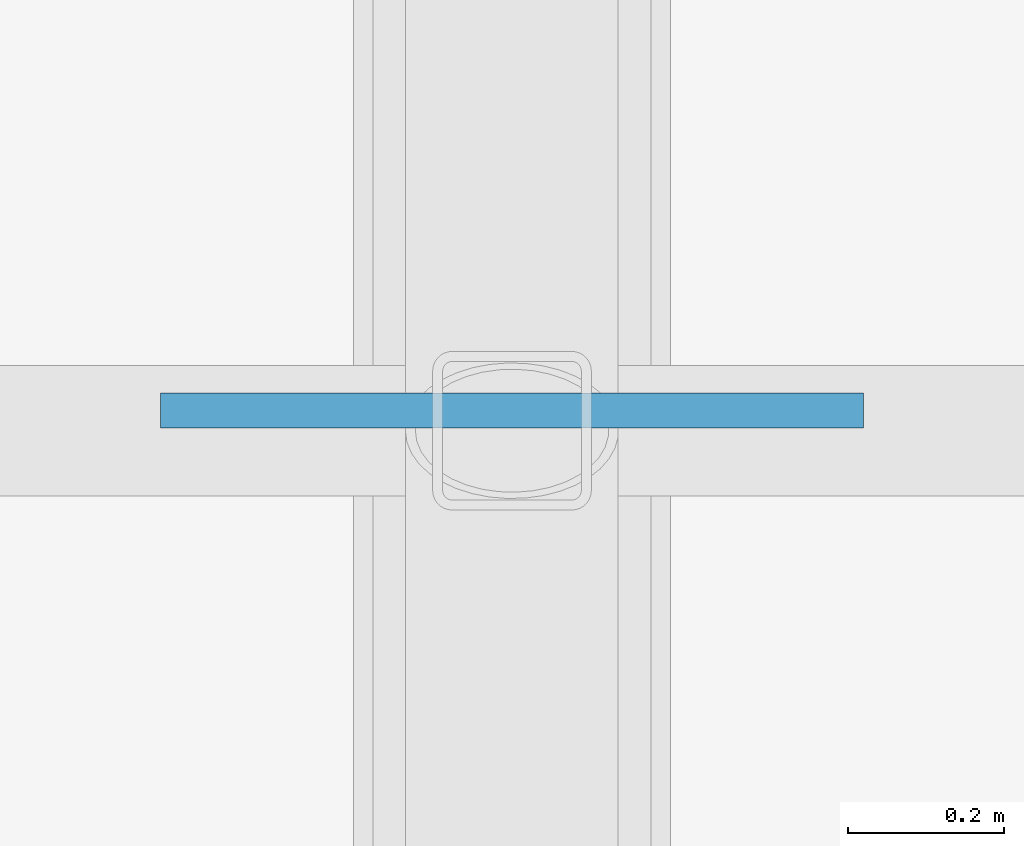
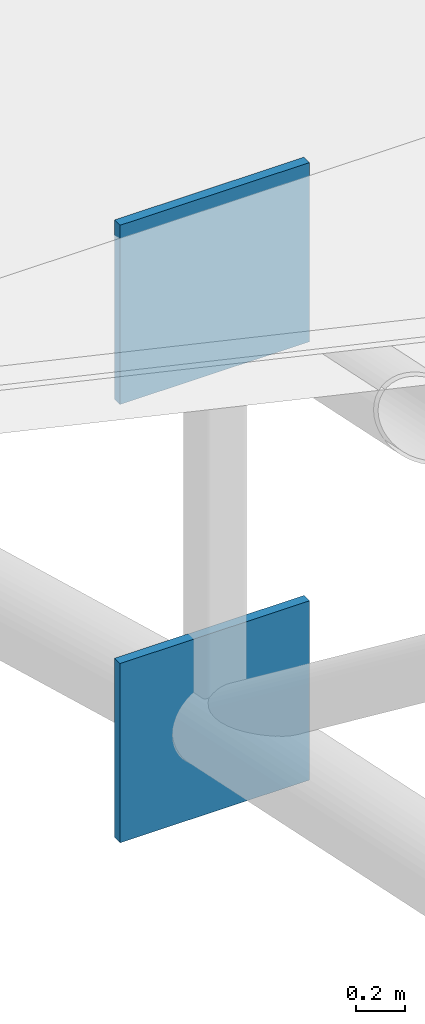
# One storey, part 85 of 98: 2 plates.
"""IFC4 building model written with IfcOpenShell, lengths in metres."""

from ifc_helpers import new_model, si_unit, direction, frame, origin, origin_2d, place, context, subcontext, project, spatial, rectangle, extrude, material, layer, layer_set, type_object, element, save


model = new_model("IFC4")

# Units and contexts
model_context = context("Model", 3, precision=1e-05, world=origin(), true_north=direction((0.0, 1.0)))
body_context = subcontext(model_context, "Body", "Model", "MODEL_VIEW")
ifc_project = project(units=[si_unit("LENGTHUNIT", "METRE"), si_unit("AREAUNIT", "SQUARE_METRE"), si_unit("VOLUMEUNIT", "CUBIC_METRE"), si_unit("PLANEANGLEUNIT", "RADIAN"), si_unit("MASSUNIT", "GRAM", prefix="KILO")], contexts=[model_context])

# Site, building, storey
site_placement = place(None, origin())
site = spatial("IfcSite", under=ifc_project, at=site_placement, CompositionType="ELEMENT")
building_placement = place(site_placement, origin())
building = spatial("IfcBuilding", under=site, at=building_placement, Name="Tlacozan Convention Centre", CompositionType="ELEMENT")
storey_placement = place(building_placement, frame((0.0, 0.0, 25.800048828125)))
storey = spatial("IfcBuildingStorey", under=building, at=storey_placement, Name="Roof", CompositionType="ELEMENT", Elevation=25.800048828125)

# Plates
ifc_material = material(Name="Steel ASTM A572 Grade 50", Category="steel")
ifc_layer = layer(ifc_material, 0.044921875)
ifc_layer_set = layer_set([ifc_layer], Name="Steel ASTM A572 Grade 50")
plate_type = type_object("IfcPlateType", Name="Arch Springing Node Gusset Plate", PredefinedType="SHEET", material=ifc_layer_set)
for number, where, z_axis, x_axis, name in (
    (1, (80.0, 110.02587890625, -4.964599609375), (0.0, 0.0, 1.0), (0.0, 1.0, 0.0), "Roof Gusset Cap Plate 365"),
    (2, (80.0, 110.02587890625, -7.164794921875), (0.0, 0.0, 1.0), (0.0, 1.0, 0.0), "Roof Gusset Cap Plate 366"),
):
    element("IfcPlate", number, at=place(storey_placement, frame(where, z_axis=z_axis, x_axis=x_axis)), inside=storey, type_object=plate_type, Name=name, PredefinedType="SHEET", context=body_context, shape_type="SweptSolid", body=[
        extrude(rectangle(XDim=0.044921875, YDim=0.89990234375, at=origin_2d()), origin(), (0.0, 0.0, 1.0), 0.89990234375),
    ])

save(model, "model.ifc")
